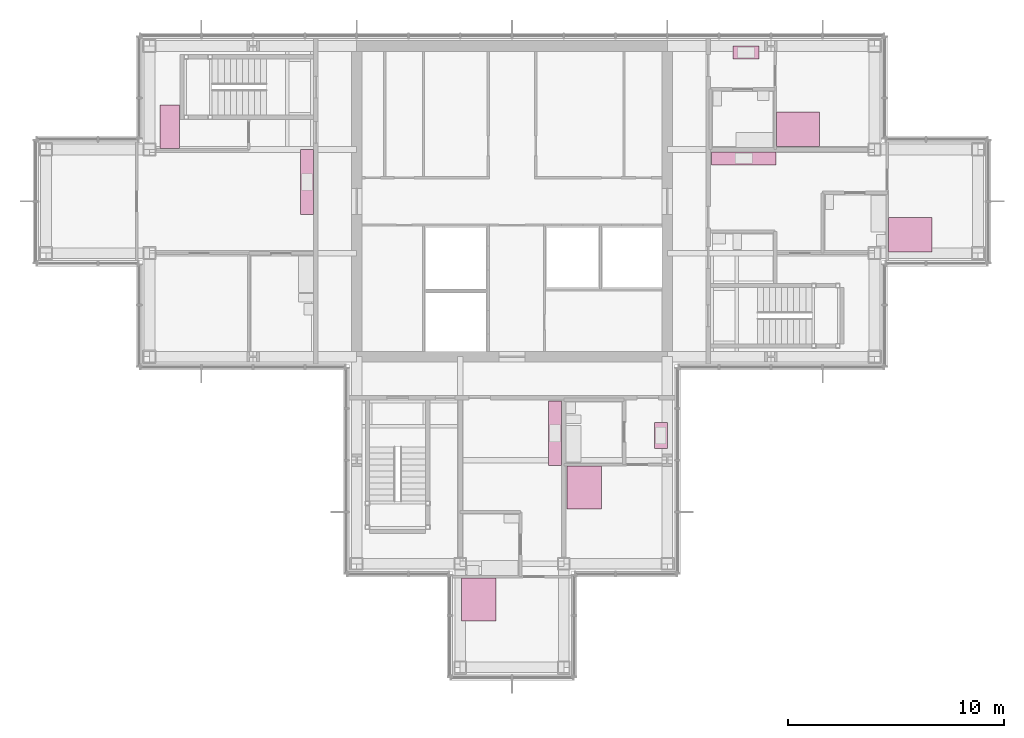
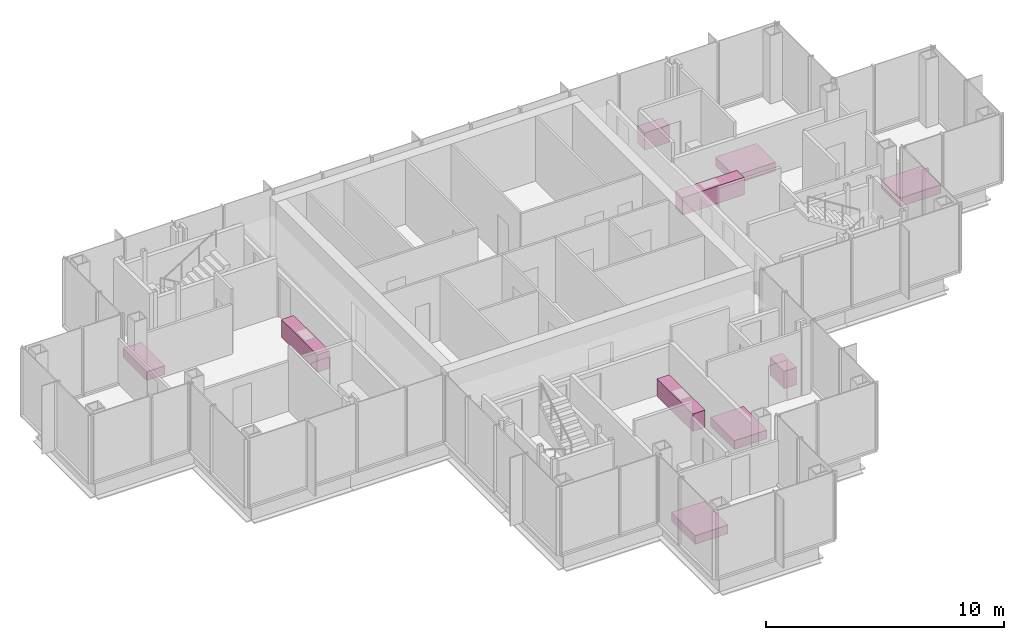
# One storey, part 15 of 15: 10 furniture elements.
"""IFC4 building model written with IfcOpenShell, lengths in metres."""

from ifc_helpers import new_model, si_unit, direction, frame, origin, origin_2d, place, context, subcontext, project, spatial, rectangle, extrude, material, type_object, element, save


model = new_model("IFC4")

# Units and contexts
model_context = context("Model", 3, precision=1e-05, world=origin(), true_north=direction((0.0, 1.0)))
body_context = subcontext(model_context, "Body", "Model", "MODEL_VIEW")
ifc_project = project(units=[si_unit("LENGTHUNIT", "METRE"), si_unit("AREAUNIT", "SQUARE_METRE"), si_unit("VOLUMEUNIT", "CUBIC_METRE"), si_unit("PLANEANGLEUNIT", "RADIAN"), si_unit("MASSUNIT", "GRAM", prefix="KILO")], contexts=[model_context])

# Site, building, storey
site_placement = place(None, origin())
site = spatial("IfcSite", under=ifc_project, at=site_placement, CompositionType="ELEMENT")
building_placement = place(site_placement, origin())
building = spatial("IfcBuilding", under=site, at=building_placement, Name="Kvirike Care Tower", CompositionType="ELEMENT")
storey_placement = place(building_placement, frame((0.0, 0.0, 219.0)))
storey = spatial("IfcBuildingStorey", under=building, at=storey_placement, Name="L60", CompositionType="ELEMENT", Elevation=219.0)

# Furniture
ifc_material_1 = material(Name="Timber", Category="wood")
furniture_type_1 = type_object("IfcFurnitureType", Name="DOUBLE BED 1600 x 2000", AssemblyPlace="FACTORY", PredefinedType="BED", material=ifc_material_1)
for number, where, z_axis, x_axis, name in (
    (1, (20.050048828125, 17.5380859375, 0.0), (0.0, 0.0, 1.0), (1.0, 0.0, 0.0), "Double bed L60-011"),
    (2, (24.949951171875, 22.738037109375, 0.0), (0.0, 0.0, 1.0), (1.0, 0.0, 0.0), "Double bed L60-014"),
    (3, (40.06201171875, 34.449951171875, 0.0), (0.0, 0.0, 1.0), (0.0, 1.0, 0.0), "Double bed L60-020"),
    (4, (34.862060546875, 39.35009765625, 0.0), (0.0, 0.0, 1.0), (0.0, 1.0, 0.0), "Double bed L60-024"),
):
    element("IfcFurniture", number, at=place(storey_placement, frame(where, z_axis=z_axis, x_axis=x_axis)), inside=storey, type_object=furniture_type_1, Name=name, PredefinedType="BED", context=body_context, shape_type="SweptSolid", body=[
        extrude(rectangle(XDim=1.60009765625, YDim=2.0, at=origin_2d()), origin(), (0.0, 0.0, 1.0), 0.449951171875),
    ])
ifc_material_2 = material(Name="Laminated board", Category="wood")
furniture_type_2 = type_object("IfcFurnitureType", Name="KITCHEN UNIT RUN 600", AssemblyPlace="FACTORY", PredefinedType="USERDEFINED", material=ifc_material_2)
for number, where, z_axis, x_axis, name in (
    (5, (12.097900390625, 36.89990234375, 0.0), (0.0, 0.0, 1.0), (0.0, -1.0, 0.0), "Kitchen unit run L60-007"),
    (6, (23.597900390625, 25.25, 0.0), (0.0, 0.0, 1.0), (0.0, -1.0, 0.0), "Kitchen unit run L60-013"),
):
    element("IfcFurniture", number, at=place(storey_placement, frame(where, z_axis=z_axis, x_axis=x_axis)), inside=storey, type_object=furniture_type_2, Name=name, ObjectType="KITCHEN UNIT", PredefinedType="USERDEFINED", context=body_context, shape_type="SweptSolid", body=[
        extrude(rectangle(XDim=3.0, YDim=0.60009765625, at=origin_2d()), origin(), (0.0, 0.0, 1.0), 0.89990234375),
    ])
furniture_1_placement = place(storey_placement, frame((28.498046875, 25.14990234375, 0.0), z_axis=(0.0, 0.0, 1.0), x_axis=(0.0, -1.0, 0.0)))
element("IfcFurniture", 7, at=furniture_1_placement, inside=storey, type_object=furniture_type_2, Name="Kitchen unit run L60-016", ObjectType="KITCHEN UNIT", PredefinedType="USERDEFINED", context=body_context, shape_type="SweptSolid", body=[
    extrude(rectangle(XDim=1.199951171875, YDim=0.60009765625, at=origin_2d()), origin(), (0.0, 0.0, 1.0), 0.89990234375),
])
furniture_2_placement = place(storey_placement, frame((32.35009765625, 37.998046875, 0.0), z_axis=(0.0, 0.0, 1.0), x_axis=(1.0, 0.0, 0.0)))
element("IfcFurniture", 8, at=furniture_2_placement, inside=storey, type_object=furniture_type_2, Name="Kitchen unit run L60-023", ObjectType="KITCHEN UNIT", PredefinedType="USERDEFINED", context=body_context, shape_type="SweptSolid", body=[
    extrude(rectangle(XDim=3.0, YDim=0.60009765625, at=origin_2d()), origin(), (0.0, 0.0, 1.0), 0.89990234375),
])
furniture_3_placement = place(storey_placement, frame((32.449951171875, 42.89794921875, 0.0), z_axis=(0.0, 0.0, 1.0), x_axis=(1.0, 0.0, 0.0)))
element("IfcFurniture", 9, at=furniture_3_placement, inside=storey, type_object=furniture_type_2, Name="Kitchen unit run L60-026", ObjectType="KITCHEN UNIT", PredefinedType="USERDEFINED", context=body_context, shape_type="SweptSolid", body=[
    extrude(rectangle(XDim=1.199951171875, YDim=0.60009765625, at=origin_2d()), origin(), (0.0, 0.0, 1.0), 0.89990234375),
])
ifc_material_3 = material(Name="Timber", Category="wood")
furniture_type_3 = type_object("IfcFurnitureType", Name="SINGLE BED 900 x 2000", AssemblyPlace="FACTORY", PredefinedType="BED", material=ifc_material_3)
furniture_4_placement = place(storey_placement, frame((5.739990234375, 39.4619140625, 0.0), z_axis=(0.0, 0.0, 1.0), x_axis=(-1.0, 0.0, 0.0)))
element("IfcFurniture", 10, at=furniture_4_placement, inside=storey, type_object=furniture_type_3, Name="Single bed L60-003", PredefinedType="BED", context=body_context, shape_type="SweptSolid", body=[
    extrude(rectangle(XDim=0.89990234375, YDim=2.0, at=origin_2d()), origin(), (0.0, 0.0, 1.0), 0.449951171875),
])

save(model, "model.ifc")
